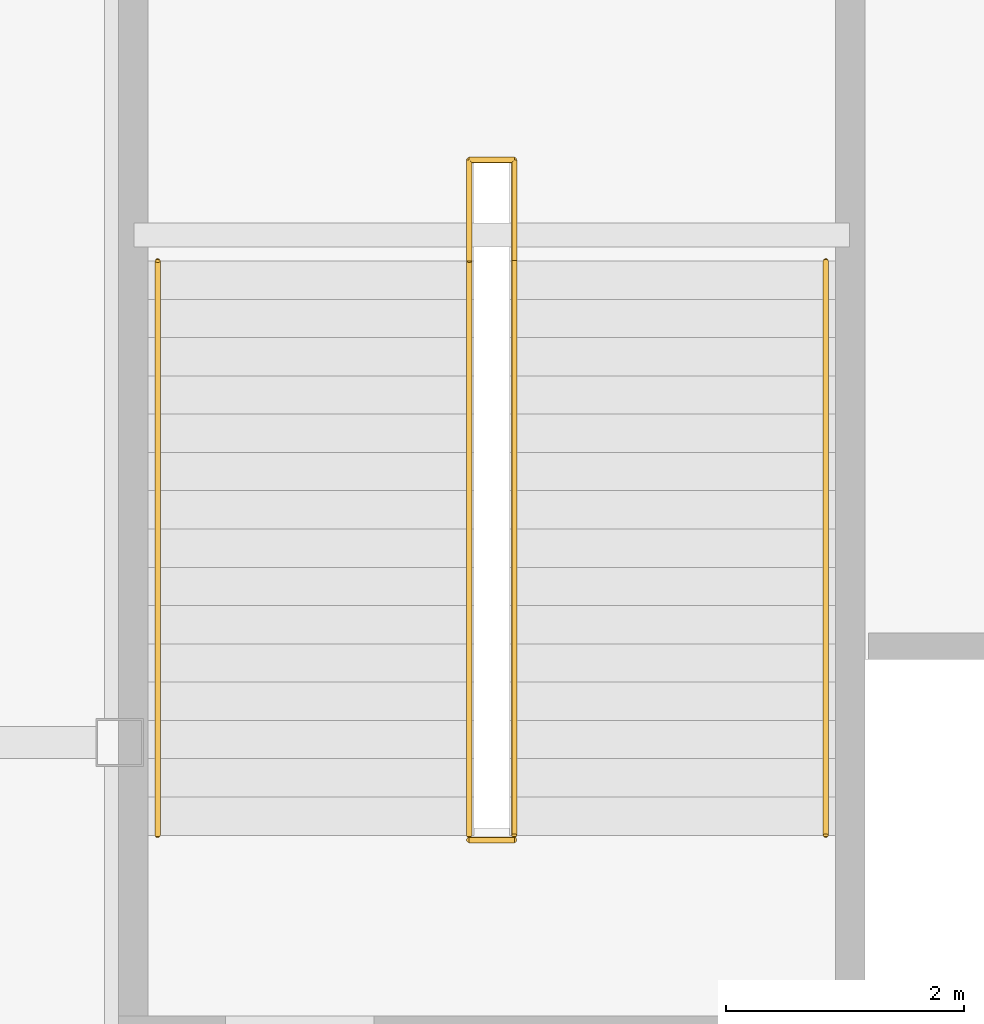
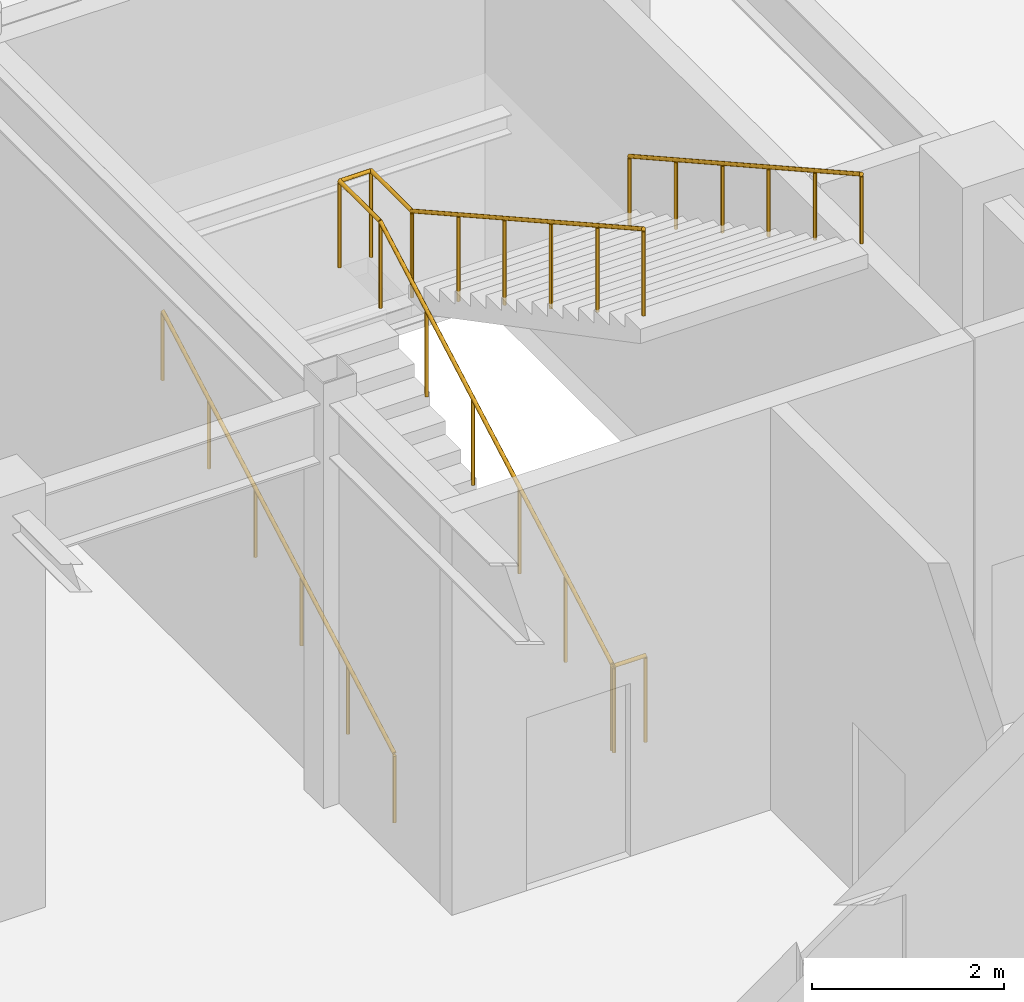
# One storey, part 138 of 139: 4 railings.
"""IFC4 building model written with IfcOpenShell, lengths in metres."""

import ifcopenshell
import ifcopenshell.guid

model = None  # the IFC model being written
_history = None  # IfcOwnerHistory: only IFC2X3 demands one
_inside = {}  # id of a spatial element -> (the spatial element, [elements in it])
_under = {}  # id of a project, library or spatial element -> (it, [spatial elements below it])
_declared = {}  # id of a project -> (the project, [libraries it declares])
_typed = {}  # id of a type object -> (the type object, [elements of that type])
_made_of = {}  # id of a material, layer set ... -> (it, [elements and type objects made of it])


def new_model(schema):
    """Start an empty IFC model of exactly this schema.

    Asked for "IFC4X3", IfcOpenShell would pick the latest addendum, in which some entities
    have other attributes; the version numbers below select the first issue.
    IFC2X3 requires an IfcOwnerHistory on every rooted entity: one is made here for all.
    """
    global model, _history
    if schema == "IFC4X3":
        model = ifcopenshell.file(schema_version=(4, 3, 0, 0))
    else:
        model = ifcopenshell.file(schema=schema)
    _inside.clear()
    _under.clear()
    _declared.clear()
    _typed.clear()
    _made_of.clear()
    _history = None
    if model.schema == "IFC2X3":
        org = make("IfcOrganization", Name="unknown")
        user = make(
            "IfcPersonAndOrganization",
            ThePerson=make("IfcPerson", FamilyName="unknown"),
            TheOrganization=org,
        )
        app = make(
            "IfcApplication",
            ApplicationDeveloper=org,
            Version="unknown",
            ApplicationFullName="unknown",
            ApplicationIdentifier="unknown",
        )
        _history = make(
            "IfcOwnerHistory",
            OwningUser=user,
            OwningApplication=app,
            ChangeAction="ADDED",
            CreationDate=0,
        )
    return model


def make(cls, **values):
    """One entity of the class cls with the attributes given. An attribute that is None is left unset."""
    return model.create_entity(
        cls, **{name: value for name, value in values.items() if value is not None}
    )


def rooted(cls, **values):
    """An entity with a GlobalId (a new one), such as an element, a storey or a relation."""
    return make(cls, GlobalId=ifcopenshell.guid.new(), OwnerHistory=_history, **values)


def si_unit(unit_type, name, prefix=None):
    """IfcSIUnit, for example si_unit("LENGTHUNIT", "METRE", prefix="MILLI")."""
    return make("IfcSIUnit", UnitType=unit_type, Prefix=prefix, Name=name)


def assignment(units):
    """IfcUnitAssignment: the units of a project."""
    return None if units is None else make("IfcUnitAssignment", Units=units)


def point(xyz):
    """IfcCartesianPoint."""
    return None if xyz is None else make("IfcCartesianPoint", Coordinates=xyz)


def direction(xyz):
    """IfcDirection."""
    return None if xyz is None else make("IfcDirection", DirectionRatios=xyz)


def frame(location, z_axis=None, x_axis=None):
    """IfcAxis2Placement3D, a coordinate frame: its origin and axes. An axis left out is left unset."""
    return make(
        "IfcAxis2Placement3D",
        Location=point(location),
        Axis=direction(z_axis),
        RefDirection=direction(x_axis),
    )


def frame_2d(location, x_axis=None):
    """IfcAxis2Placement2D, a coordinate frame in the plane: its origin and x axis."""
    return make(
        "IfcAxis2Placement2D", Location=point(location), RefDirection=direction(x_axis)
    )


def origin():
    """The frame at (0, 0, 0) with its axes left unset."""
    return frame((0.0, 0.0, 0.0))


def origin_2d():
    """The frame at (0, 0) in the plane with its x axis left unset."""
    return frame_2d((0.0, 0.0))


def place(relative_to, where):
    """IfcLocalPlacement: puts the frame where relative to a parent placement (None: the world)."""
    return make(
        "IfcLocalPlacement", PlacementRelTo=relative_to, RelativePlacement=where
    )


def context(
    kind, dimensions, precision=None, world=None, true_north=None, identifier=None
):
    """IfcGeometricRepresentationContext, for example the 3D "Model" context."""
    return make(
        "IfcGeometricRepresentationContext",
        ContextIdentifier=identifier,
        ContextType=kind,
        CoordinateSpaceDimension=dimensions,
        Precision=precision,
        WorldCoordinateSystem=world,
        TrueNorth=true_north,
    )


def subcontext(parent, identifier, kind, view, scale=None):
    """IfcGeometricRepresentationSubContext, for example "Body" below "Model"."""
    return make(
        "IfcGeometricRepresentationSubContext",
        ContextIdentifier=identifier,
        ContextType=kind,
        ParentContext=parent,
        TargetScale=scale,
        TargetView=view,
    )


def project(units=None, contexts=None):
    """IfcProject with its units and contexts."""
    return rooted(
        "IfcProject",
        Name="project",
        RepresentationContexts=contexts,
        UnitsInContext=assignment(units),
    )


def spatial(cls, under=None, at=None, **own):
    """A site, building, storey or space (cls), placed at a placement, below another one or the project."""
    s = rooted(cls, ObjectPlacement=at, **own)
    if under is not None:
        _under.setdefault(under.id(), (under, []))[1].append(s)
    return s


def profile(cls, at=None, kind="AREA", **sizes):
    """A parametric profile (cls). Its sizes go by their IFC names, for example OverallWidth=200.0."""
    return make(cls, ProfileType=kind, Position=at, **sizes)


def circle(**sizes):
    """IfcCircleProfileDef."""
    return profile("IfcCircleProfileDef", **sizes)


def extrude(swept, where, along, depth):
    """IfcExtrudedAreaSolid: the profile swept, set in the frame where, extruded along a direction by depth."""
    return make(
        "IfcExtrudedAreaSolid",
        SweptArea=swept,
        Position=where,
        ExtrudedDirection=direction(along),
        Depth=depth,
    )


def shape(context_of_items, identifier, shape_type, items):
    """IfcShapeRepresentation: the items that make up one representation, for example the "Body"."""
    return make(
        "IfcShapeRepresentation",
        ContextOfItems=context_of_items,
        RepresentationIdentifier=identifier,
        RepresentationType=shape_type,
        Items=items,
    )


def material(Name=None, Category=None):
    """IfcMaterial."""
    return make("IfcMaterial", Name=Name, Category=Category)


def made_of(thing, what):
    """Note that an element or type object is made of a material, layer set ...; save() writes the relation."""
    if what is not None:
        _made_of.setdefault(what.id(), (what, []))[1].append(thing)
    return thing


def type_object(cls, material=None, **own):
    """A type object (cls), such as IfcWallType, which elements share."""
    return made_of(rooted(cls, **own), material)


def element(
    cls,
    number,
    at=None,
    inside=None,
    cuts=None,
    type_object=None,
    material=None,
    context=None,
    identifier="Body",
    shape_type=None,
    held_by="IfcProductDefinitionShape",
    body=None,
    shapes=None,
    **own,
):
    """One element of the class cls, such as IfcWall. Its Tag is "e" and its number.

    at: its placement. inside: the storey or other place that contains it. cuts: it is an
    opening in that element (IfcRelVoidsElement). A single representation is given by context,
    identifier, shape_type and body (its items); several are given by shapes. held_by: the class
    of the entity that holds the representations. save() writes the other relations.
    """
    e = rooted(cls, Tag="e%d" % number, ObjectPlacement=at, **own)
    if body is not None:
        shapes = [shape(context, identifier, shape_type, body)]
    if shapes is not None:
        e.Representation = make(held_by, Representations=shapes)
    if inside is not None:
        _inside.setdefault(inside.id(), (inside, []))[1].append(e)
    if cuts is not None:
        rooted(
            "IfcRelVoidsElement", RelatingBuildingElement=cuts, RelatedOpeningElement=e
        )
    if type_object is not None:
        _typed.setdefault(type_object.id(), (type_object, []))[1].append(e)
    return made_of(e, material)


def aggregate(whole, parts):
    """IfcRelAggregates: a whole, such as a stair, and the parts it consists of."""
    return rooted("IfcRelAggregates", RelatingObject=whole, RelatedObjects=parts)


def save(model, path):
    """Write the relations noted so far, then the file.

    IfcRelAggregates (storeys below a building ...), IfcRelContainedInSpatialStructure (elements
    in a storey), IfcRelDefinesByType, IfcRelAssociatesMaterial and IfcRelDeclares: one each for
    every whole, place, type object, material and project.
    """
    for whole, parts in _under.values():
        aggregate(whole, parts)
    for where, things in _inside.values():
        rooted(
            "IfcRelContainedInSpatialStructure",
            RelatedElements=things,
            RelatingStructure=where,
        )
    for kind, things in _typed.values():
        rooted("IfcRelDefinesByType", RelatedObjects=things, RelatingType=kind)
    for what, things in _made_of.values():
        rooted("IfcRelAssociatesMaterial", RelatedObjects=things, RelatingMaterial=what)
    for by, libraries in _declared.values():
        rooted("IfcRelDeclares", RelatingContext=by, RelatedDefinitions=libraries)
    model.write(path)


model = new_model("IFC4")

# Units and contexts
model_context = context("Model", 3, precision=1e-05, world=origin(), true_north=direction((0.0, 1.0)))
body_context = subcontext(model_context, "Body", "Model", "MODEL_VIEW")
ifc_project = project(units=[si_unit("LENGTHUNIT", "METRE"), si_unit("AREAUNIT", "SQUARE_METRE"), si_unit("VOLUMEUNIT", "CUBIC_METRE"), si_unit("PLANEANGLEUNIT", "RADIAN"), si_unit("MASSUNIT", "GRAM", prefix="KILO")], contexts=[model_context])

# Site, building, storey
site_placement = place(None, origin())
site = spatial("IfcSite", under=ifc_project, at=site_placement, CompositionType="ELEMENT")
building_placement = place(site_placement, origin())
building = spatial("IfcBuilding", under=site, at=building_placement, Name="Xicomal Pleat Aquarium", CompositionType="ELEMENT")
storey_placement = place(building_placement, origin())
storey = spatial("IfcBuildingStorey", under=building, at=storey_placement, Name="L01", CompositionType="ELEMENT", Elevation=0.0)

# Railings
ifc_material_1 = material(Name="Brushed stainless steel 316L", Category="steel")
railing_type_1 = type_object("IfcRailingType", Name="RAL-HR-900", PredefinedType="HANDRAIL", material=ifc_material_1)
railing_1_placement = place(storey_placement, frame((141.919921875, 22.02001953125, 0.0)))
element("IfcRailing", 1, at=railing_1_placement, inside=storey, type_object=railing_type_1, Name="ST-08-L01 flight 1 handrail", PredefinedType="HANDRAIL", context=body_context, shape_type="SweptSolid", body=[
    extrude(circle(Radius=0.02392578125, at=origin_2d()), frame((0.0, 0.0, 0.8759765625), z_axis=(0.0, 0.872882689512, 0.487930128554), x_axis=(-1.0, 0.0, 0.0)), (0.0, 0.0, 1.0), 5.533447265625),
    extrude(circle(Radius=0.02099609375, at=origin_2d()), origin(), (0.0, 0.0, 1.0), 0.851806640625),
    extrude(circle(Radius=0.02099609375, at=origin_2d()), frame((0.0, 0.966064453125, 0.5400390625)), (0.0, 0.0, 1.0), 0.851806640625),
    extrude(circle(Radius=0.02099609375, at=origin_2d()), frame((0.0, 1.93212890625, 1.080078125)), (0.0, 0.0, 1.0), 0.851806640625),
    extrude(circle(Radius=0.02099609375, at=origin_2d()), frame((0.0, 2.89794921875, 1.619873046875)), (0.0, 0.0, 1.0), 0.851806640625),
    extrude(circle(Radius=0.02099609375, at=origin_2d()), frame((0.0, 3.864013671875, 2.159912109375)), (0.0, 0.0, 1.0), 0.851806640625),
    extrude(circle(Radius=0.02099609375, at=origin_2d()), frame((0.0, 4.830078125, 2.699951171875)), (0.0, 0.0, 1.0), 0.851806640625),
])
railing_2_placement = place(storey_placement, frame((147.5400390625, 26.85009765625, 2.699951171875)))
element("IfcRailing", 2, at=railing_2_placement, inside=storey, type_object=railing_type_1, Name="ST-08-L01 flight 2 handrail", PredefinedType="HANDRAIL", context=body_context, shape_type="SweptSolid", body=[
    extrude(circle(Radius=0.02392578125, at=origin_2d()), frame((0.0, 0.0, 0.8759765625), z_axis=(0.0, -0.872882689512, 0.487930128554), x_axis=(1.0, 0.0, 0.0)), (0.0, 0.0, 1.0), 5.533447265625),
    extrude(circle(Radius=0.02099609375, at=origin_2d()), origin(), (0.0, 0.0, 1.0), 0.851806640625),
    extrude(circle(Radius=0.02099609375, at=origin_2d()), frame((0.0, -0.966064453125, 0.5400390625)), (0.0, 0.0, 1.0), 0.851806640625),
    extrude(circle(Radius=0.02099609375, at=origin_2d()), frame((0.0, -1.93212890625, 1.080078125)), (0.0, 0.0, 1.0), 0.851806640625),
    extrude(circle(Radius=0.02099609375, at=origin_2d()), frame((0.0, -2.89794921875, 1.619873046875)), (0.0, 0.0, 1.0), 0.851806640625),
    extrude(circle(Radius=0.02099609375, at=origin_2d()), frame((0.0, -3.864013671875, 2.159912109375)), (0.0, 0.0, 1.0), 0.851806640625),
    extrude(circle(Radius=0.02099609375, at=origin_2d()), frame((0.0, -4.830078125, 2.699951171875)), (0.0, 0.0, 1.0), 0.851806640625),
])
ifc_material_2 = material(Name="Brushed stainless steel 316L", Category="steel")
railing_type_2 = type_object("IfcRailingType", Name="RAL-STG-1120", PredefinedType="GUARDRAIL", material=ifc_material_2)
railing_3_placement = place(storey_placement, frame((144.5400390625, 22.02001953125, 0.0)))
element("IfcRailing", 3, at=railing_3_placement, inside=storey, type_object=railing_type_2, Name="ST-08-L01 inner well guard", PredefinedType="GUARDRAIL", context=body_context, shape_type="SweptSolid", body=[
    extrude(circle(Radius=0.02392578125, at=origin_2d()), frame((0.0, 0.0, 1.09619140625), z_axis=(0.0, 0.872882689512, 0.487930128554), x_axis=(-1.0, 0.0, 0.0)), (0.0, 0.0, 1.0), 5.533447265625),
    extrude(circle(Radius=0.02392578125, at=origin_2d()), frame((0.0, 4.830078125, 3.7958984375), z_axis=(0.0, 1.0, 0.0), x_axis=(-1.0, 0.0, 0.0)), (0.0, 0.0, 1.0), 0.849853515625),
    extrude(circle(Radius=0.02392578125, at=origin_2d()), frame((0.0, 5.679931640625, 3.7958984375), z_axis=(1.0, 0.0, 0.0), x_axis=(0.0, 1.0, 0.0)), (0.0, 0.0, 1.0), 0.3798828125),
    extrude(circle(Radius=0.02392578125, at=origin_2d()), frame((0.3798828125, 5.679931640625, 3.7958984375), z_axis=(0.0, -1.0, 0.0), x_axis=(1.0, 0.0, 0.0)), (0.0, 0.0, 1.0), 0.849853515625),
    extrude(circle(Radius=0.02392578125, at=origin_2d()), frame((0.3798828125, 4.830078125, 3.7958984375), z_axis=(0.0, -0.872882689512, 0.487930128554), x_axis=(1.0, 0.0, 0.0)), (0.0, 0.0, 1.0), 5.533447265625),
    extrude(circle(Radius=0.02099609375, at=origin_2d()), origin(), (0.0, 0.0, 1.0), 1.072021484375),
    extrude(circle(Radius=0.02099609375, at=origin_2d()), frame((0.0, 0.966064453125, 0.5400390625)), (0.0, 0.0, 1.0), 1.072021484375),
    extrude(circle(Radius=0.02099609375, at=origin_2d()), frame((0.0, 1.93212890625, 1.080078125)), (0.0, 0.0, 1.0), 1.072021484375),
    extrude(circle(Radius=0.02099609375, at=origin_2d()), frame((0.0, 2.89794921875, 1.619873046875)), (0.0, 0.0, 1.0), 1.072021484375),
    extrude(circle(Radius=0.02099609375, at=origin_2d()), frame((0.0, 3.864013671875, 2.159912109375)), (0.0, 0.0, 1.0), 1.072021484375),
    extrude(circle(Radius=0.02099609375, at=origin_2d()), frame((0.0, 4.830078125, 2.699951171875)), (0.0, 0.0, 1.0), 1.072021484375),
    extrude(circle(Radius=0.02099609375, at=origin_2d()), frame((0.0, 5.679931640625, 2.699951171875)), (0.0, 0.0, 1.0), 1.072021484375),
    extrude(circle(Radius=0.02099609375, at=origin_2d()), frame((0.3798828125, 5.679931640625, 2.699951171875)), (0.0, 0.0, 1.0), 1.072021484375),
    extrude(circle(Radius=0.02099609375, at=origin_2d()), frame((0.3798828125, 4.830078125, 2.699951171875)), (0.0, 0.0, 1.0), 1.072021484375),
    extrude(circle(Radius=0.02099609375, at=origin_2d()), frame((0.3798828125, 3.864013671875, 3.239990234375)), (0.0, 0.0, 1.0), 1.072021484375),
    extrude(circle(Radius=0.02099609375, at=origin_2d()), frame((0.3798828125, 2.89794921875, 3.780029296875)), (0.0, 0.0, 1.0), 1.072021484375),
    extrude(circle(Radius=0.02099609375, at=origin_2d()), frame((0.3798828125, 1.93212890625, 4.31982421875)), (0.0, 0.0, 1.0), 1.072021484375),
    extrude(circle(Radius=0.02099609375, at=origin_2d()), frame((0.3798828125, 0.966064453125, 4.85986328125)), (0.0, 0.0, 1.0), 1.072021484375),
    extrude(circle(Radius=0.02099609375, at=origin_2d()), frame((0.3798828125, 0.0, 5.39990234375)), (0.0, 0.0, 1.0), 1.072021484375),
])
railing_4_placement = place(storey_placement, frame((144.5400390625, 21.97998046875, 0.0)))
element("IfcRailing", 4, at=railing_4_placement, inside=storey, type_object=railing_type_2, Name="ST-08-L01 floor landing slot guard", PredefinedType="GUARDRAIL", context=body_context, shape_type="SweptSolid", body=[
    extrude(circle(Radius=0.02392578125, at=origin_2d()), frame((0.0, 0.0, 1.09619140625), z_axis=(1.0, 0.0, 0.0), x_axis=(0.0, 1.0, 0.0)), (0.0, 0.0, 1.0), 0.3798828125),
    extrude(circle(Radius=0.02099609375, at=origin_2d()), origin(), (0.0, 0.0, 1.0), 1.072021484375),
    extrude(circle(Radius=0.02099609375, at=origin_2d()), frame((0.3798828125, 0.0, 0.0)), (0.0, 0.0, 1.0), 1.072021484375),
])

save(model, "model.ifc")
